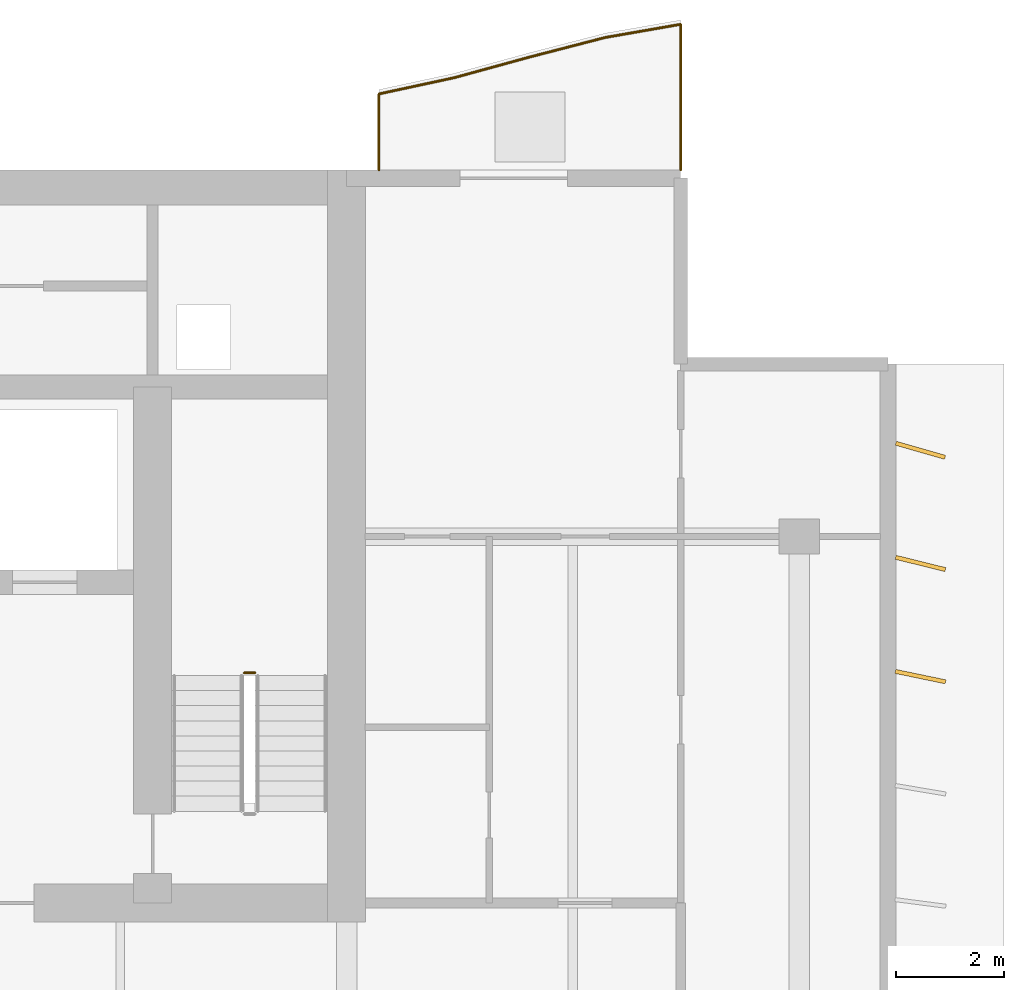
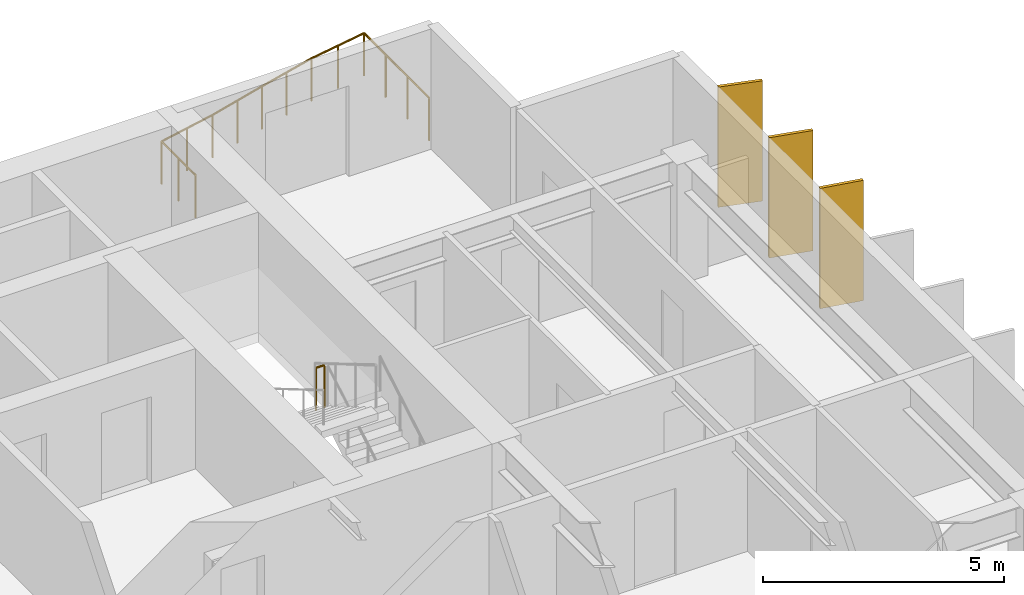
# One storey, part 17 of 17: 3 shading devices, 2 railings.
"""IFC4 building model written with IfcOpenShell, lengths in metres."""

import ifcopenshell
import ifcopenshell.guid

model = None  # the IFC model being written
_history = None  # IfcOwnerHistory: only IFC2X3 demands one
_inside = {}  # id of a spatial element -> (the spatial element, [elements in it])
_under = {}  # id of a project, library or spatial element -> (it, [spatial elements below it])
_declared = {}  # id of a project -> (the project, [libraries it declares])
_typed = {}  # id of a type object -> (the type object, [elements of that type])
_made_of = {}  # id of a material, layer set ... -> (it, [elements and type objects made of it])


def new_model(schema):
    """Start an empty IFC model of exactly this schema.

    Asked for "IFC4X3", IfcOpenShell would pick the latest addendum, in which some entities
    have other attributes; the version numbers below select the first issue.
    IFC2X3 requires an IfcOwnerHistory on every rooted entity: one is made here for all.
    """
    global model, _history
    if schema == "IFC4X3":
        model = ifcopenshell.file(schema_version=(4, 3, 0, 0))
    else:
        model = ifcopenshell.file(schema=schema)
    _inside.clear()
    _under.clear()
    _declared.clear()
    _typed.clear()
    _made_of.clear()
    _history = None
    if model.schema == "IFC2X3":
        org = make("IfcOrganization", Name="unknown")
        user = make(
            "IfcPersonAndOrganization",
            ThePerson=make("IfcPerson", FamilyName="unknown"),
            TheOrganization=org,
        )
        app = make(
            "IfcApplication",
            ApplicationDeveloper=org,
            Version="unknown",
            ApplicationFullName="unknown",
            ApplicationIdentifier="unknown",
        )
        _history = make(
            "IfcOwnerHistory",
            OwningUser=user,
            OwningApplication=app,
            ChangeAction="ADDED",
            CreationDate=0,
        )
    return model


def make(cls, **values):
    """One entity of the class cls with the attributes given. An attribute that is None is left unset."""
    return model.create_entity(
        cls, **{name: value for name, value in values.items() if value is not None}
    )


def rooted(cls, **values):
    """An entity with a GlobalId (a new one), such as an element, a storey or a relation."""
    return make(cls, GlobalId=ifcopenshell.guid.new(), OwnerHistory=_history, **values)


def si_unit(unit_type, name, prefix=None):
    """IfcSIUnit, for example si_unit("LENGTHUNIT", "METRE", prefix="MILLI")."""
    return make("IfcSIUnit", UnitType=unit_type, Prefix=prefix, Name=name)


def assignment(units):
    """IfcUnitAssignment: the units of a project."""
    return None if units is None else make("IfcUnitAssignment", Units=units)


def point(xyz):
    """IfcCartesianPoint."""
    return None if xyz is None else make("IfcCartesianPoint", Coordinates=xyz)


def direction(xyz):
    """IfcDirection."""
    return None if xyz is None else make("IfcDirection", DirectionRatios=xyz)


def frame(location, z_axis=None, x_axis=None):
    """IfcAxis2Placement3D, a coordinate frame: its origin and axes. An axis left out is left unset."""
    return make(
        "IfcAxis2Placement3D",
        Location=point(location),
        Axis=direction(z_axis),
        RefDirection=direction(x_axis),
    )


def frame_2d(location, x_axis=None):
    """IfcAxis2Placement2D, a coordinate frame in the plane: its origin and x axis."""
    return make(
        "IfcAxis2Placement2D", Location=point(location), RefDirection=direction(x_axis)
    )


def origin():
    """The frame at (0, 0, 0) with its axes left unset."""
    return frame((0.0, 0.0, 0.0))


def origin_2d():
    """The frame at (0, 0) in the plane with its x axis left unset."""
    return frame_2d((0.0, 0.0))


def place(relative_to, where):
    """IfcLocalPlacement: puts the frame where relative to a parent placement (None: the world)."""
    return make(
        "IfcLocalPlacement", PlacementRelTo=relative_to, RelativePlacement=where
    )


def context(
    kind, dimensions, precision=None, world=None, true_north=None, identifier=None
):
    """IfcGeometricRepresentationContext, for example the 3D "Model" context."""
    return make(
        "IfcGeometricRepresentationContext",
        ContextIdentifier=identifier,
        ContextType=kind,
        CoordinateSpaceDimension=dimensions,
        Precision=precision,
        WorldCoordinateSystem=world,
        TrueNorth=true_north,
    )


def subcontext(parent, identifier, kind, view, scale=None):
    """IfcGeometricRepresentationSubContext, for example "Body" below "Model"."""
    return make(
        "IfcGeometricRepresentationSubContext",
        ContextIdentifier=identifier,
        ContextType=kind,
        ParentContext=parent,
        TargetScale=scale,
        TargetView=view,
    )


def project(units=None, contexts=None):
    """IfcProject with its units and contexts."""
    return rooted(
        "IfcProject",
        Name="project",
        RepresentationContexts=contexts,
        UnitsInContext=assignment(units),
    )


def spatial(cls, under=None, at=None, **own):
    """A site, building, storey or space (cls), placed at a placement, below another one or the project."""
    s = rooted(cls, ObjectPlacement=at, **own)
    if under is not None:
        _under.setdefault(under.id(), (under, []))[1].append(s)
    return s


def profile(cls, at=None, kind="AREA", **sizes):
    """A parametric profile (cls). Its sizes go by their IFC names, for example OverallWidth=200.0."""
    return make(cls, ProfileType=kind, Position=at, **sizes)


def rectangle(**sizes):
    """IfcRectangleProfileDef."""
    return profile("IfcRectangleProfileDef", **sizes)


def circle(**sizes):
    """IfcCircleProfileDef."""
    return profile("IfcCircleProfileDef", **sizes)


def extrude(swept, where, along, depth):
    """IfcExtrudedAreaSolid: the profile swept, set in the frame where, extruded along a direction by depth."""
    return make(
        "IfcExtrudedAreaSolid",
        SweptArea=swept,
        Position=where,
        ExtrudedDirection=direction(along),
        Depth=depth,
    )


def shape(context_of_items, identifier, shape_type, items):
    """IfcShapeRepresentation: the items that make up one representation, for example the "Body"."""
    return make(
        "IfcShapeRepresentation",
        ContextOfItems=context_of_items,
        RepresentationIdentifier=identifier,
        RepresentationType=shape_type,
        Items=items,
    )


def material(Name=None, Category=None):
    """IfcMaterial."""
    return make("IfcMaterial", Name=Name, Category=Category)


def material_profile(
    of_material, cross_section, Name=None, Category=None, Priority=None
):
    """IfcMaterialProfile: a cross section and its material."""
    return make(
        "IfcMaterialProfile",
        Name=Name,
        Material=of_material,
        Profile=cross_section,
        Priority=Priority,
        Category=Category,
    )


def profile_set(profiles, Name=None, composite=None):
    """IfcMaterialProfileSet."""
    return make(
        "IfcMaterialProfileSet",
        Name=Name,
        MaterialProfiles=profiles,
        CompositeProfile=composite,
    )


def made_of(thing, what):
    """Note that an element or type object is made of a material, layer set ...; save() writes the relation."""
    if what is not None:
        _made_of.setdefault(what.id(), (what, []))[1].append(thing)
    return thing


def type_object(cls, material=None, **own):
    """A type object (cls), such as IfcWallType, which elements share."""
    return made_of(rooted(cls, **own), material)


def element(
    cls,
    number,
    at=None,
    inside=None,
    cuts=None,
    type_object=None,
    material=None,
    context=None,
    identifier="Body",
    shape_type=None,
    held_by="IfcProductDefinitionShape",
    body=None,
    shapes=None,
    **own,
):
    """One element of the class cls, such as IfcWall. Its Tag is "e" and its number.

    at: its placement. inside: the storey or other place that contains it. cuts: it is an
    opening in that element (IfcRelVoidsElement). A single representation is given by context,
    identifier, shape_type and body (its items); several are given by shapes. held_by: the class
    of the entity that holds the representations. save() writes the other relations.
    """
    e = rooted(cls, Tag="e%d" % number, ObjectPlacement=at, **own)
    if body is not None:
        shapes = [shape(context, identifier, shape_type, body)]
    if shapes is not None:
        e.Representation = make(held_by, Representations=shapes)
    if inside is not None:
        _inside.setdefault(inside.id(), (inside, []))[1].append(e)
    if cuts is not None:
        rooted(
            "IfcRelVoidsElement", RelatingBuildingElement=cuts, RelatedOpeningElement=e
        )
    if type_object is not None:
        _typed.setdefault(type_object.id(), (type_object, []))[1].append(e)
    return made_of(e, material)


def aggregate(whole, parts):
    """IfcRelAggregates: a whole, such as a stair, and the parts it consists of."""
    return rooted("IfcRelAggregates", RelatingObject=whole, RelatedObjects=parts)


def save(model, path):
    """Write the relations noted so far, then the file.

    IfcRelAggregates (storeys below a building ...), IfcRelContainedInSpatialStructure (elements
    in a storey), IfcRelDefinesByType, IfcRelAssociatesMaterial and IfcRelDeclares: one each for
    every whole, place, type object, material and project.
    """
    for whole, parts in _under.values():
        aggregate(whole, parts)
    for where, things in _inside.values():
        rooted(
            "IfcRelContainedInSpatialStructure",
            RelatedElements=things,
            RelatingStructure=where,
        )
    for kind, things in _typed.values():
        rooted("IfcRelDefinesByType", RelatedObjects=things, RelatingType=kind)
    for what, things in _made_of.values():
        rooted("IfcRelAssociatesMaterial", RelatedObjects=things, RelatingMaterial=what)
    for by, libraries in _declared.values():
        rooted("IfcRelDeclares", RelatingContext=by, RelatedDefinitions=libraries)
    model.write(path)


model = new_model("IFC4")

# Units and contexts
model_context = context("Model", 3, precision=1e-05, world=origin(), true_north=direction((0.0, 1.0)))
body_context = subcontext(model_context, "Body", "Model", "MODEL_VIEW")
ifc_project = project(units=[si_unit("LENGTHUNIT", "METRE"), si_unit("AREAUNIT", "SQUARE_METRE"), si_unit("VOLUMEUNIT", "CUBIC_METRE"), si_unit("PLANEANGLEUNIT", "RADIAN"), si_unit("MASSUNIT", "GRAM", prefix="KILO")], contexts=[model_context])

# Site, building, storey
site_placement = place(None, origin())
site = spatial("IfcSite", under=ifc_project, at=site_placement, CompositionType="ELEMENT")
building_placement = place(site_placement, origin())
building = spatial("IfcBuilding", under=site, at=building_placement, Name="Caelmar Bay Residences", CompositionType="ELEMENT")
storey_placement = place(building_placement, frame((0.0, 0.0, 226.5)))
storey = spatial("IfcBuildingStorey", under=building, at=storey_placement, Name="L63", CompositionType="ELEMENT", Elevation=226.5)

# Railings
ifc_material_1 = material(Name="Anodised bronze handrail with laminated hurricane glass infill", Category="glass")
railing_type_1 = type_object("IfcRailingType", Name="RL-BAL-1100", PredefinedType="BALUSTRADE", material=ifc_material_1)
railing_1_placement = place(storey_placement, frame((65.699951171875, 50.60009765625, 0.0)))
element("IfcRailing", 1, at=railing_1_placement, inside=storey, type_object=railing_type_1, Name="L63 north_east Balcony Balustrade", PredefinedType="BALUSTRADE", context=body_context, shape_type="SweptSolid", body=[
    extrude(circle(Radius=0.02392578125, at=origin_2d()), frame((0.0, 0.0, 1.076171875), z_axis=(0.0, 1.0, 0.0), x_axis=(-1.0, 0.0, 0.0)), (0.0, 0.0, 1.0), 2.705078125),
    extrude(circle(Radius=0.02392578125, at=origin_2d()), frame((0.0, 2.705078125, 1.076171875), z_axis=(-0.985101853006, -0.171971913997, 0.0), x_axis=(0.171971913997, -0.985101853006, 0.0)), (0.0, 0.0, 1.0), 1.421142578125),
    extrude(circle(Radius=0.02392578125, at=origin_2d()), frame((-1.39990234375, 2.460693359375, 1.076171875), z_axis=(-0.968113743572, -0.250511036698, 0.0), x_axis=(0.250511036698, -0.968113743572, 0.0)), (0.0, 0.0, 1.0), 1.4462890625),
    extrude(circle(Radius=0.02392578125, at=origin_2d()), frame((-2.800048828125, 2.098388671875, 1.076171875), z_axis=(-0.964456525256, -0.264241576766, 0.0), x_axis=(0.264241576766, -0.964456525256, 0.0)), (0.0, 0.0, 1.0), 1.451416015625),
    extrude(circle(Radius=0.02392578125, at=origin_2d()), frame((-4.199951171875, 1.71484375, 1.076171875), z_axis=(-0.97754721646, -0.210716491026, 0.0), x_axis=(0.210716491026, -0.97754721646, 0.0)), (0.0, 0.0, 1.0), 1.43212890625),
    extrude(circle(Radius=0.02392578125, at=origin_2d()), frame((-5.599853515625, 1.4130859375, 1.076171875), z_axis=(0.0, -1.0, 0.0), x_axis=(1.0, 0.0, 0.0)), (0.0, 0.0, 1.0), 1.4130859375),
    extrude(circle(Radius=0.02099609375, at=origin_2d()), origin(), (0.0, 0.0, 1.0), 1.052001953125),
    extrude(circle(Radius=0.02099609375, at=origin_2d()), frame((0.0, 0.901611328125, 0.0)), (0.0, 0.0, 1.0), 1.052001953125),
    extrude(circle(Radius=0.02099609375, at=origin_2d()), frame((0.0, 1.803466796875, 0.0)), (0.0, 0.0, 1.0), 1.052001953125),
    extrude(circle(Radius=0.02099609375, at=origin_2d()), frame((0.0, 2.705078125, 0.0)), (0.0, 0.0, 1.0), 1.052001953125),
    extrude(circle(Radius=0.02099609375, at=origin_2d()), frame((-0.699951171875, 2.5830078125, 0.0)), (0.0, 0.0, 1.0), 1.052001953125),
    extrude(circle(Radius=0.02099609375, at=origin_2d()), frame((-1.39990234375, 2.460693359375, 0.0)), (0.0, 0.0, 1.0), 1.052001953125),
    extrude(circle(Radius=0.02099609375, at=origin_2d()), frame((-2.10009765625, 2.279541015625, 0.0)), (0.0, 0.0, 1.0), 1.052001953125),
    extrude(circle(Radius=0.02099609375, at=origin_2d()), frame((-2.800048828125, 2.098388671875, 0.0)), (0.0, 0.0, 1.0), 1.052001953125),
    extrude(circle(Radius=0.02099609375, at=origin_2d()), frame((-3.5, 1.90673828125, 0.0)), (0.0, 0.0, 1.0), 1.052001953125),
    extrude(circle(Radius=0.02099609375, at=origin_2d()), frame((-4.199951171875, 1.71484375, 0.0)), (0.0, 0.0, 1.0), 1.052001953125),
    extrude(circle(Radius=0.02099609375, at=origin_2d()), frame((-4.89990234375, 1.56396484375, 0.0)), (0.0, 0.0, 1.0), 1.052001953125),
    extrude(circle(Radius=0.02099609375, at=origin_2d()), frame((-5.599853515625, 1.4130859375, 0.0)), (0.0, 0.0, 1.0), 1.052001953125),
    extrude(circle(Radius=0.02099609375, at=origin_2d()), frame((-5.599853515625, 0.70654296875, 0.0)), (0.0, 0.0, 1.0), 1.052001953125),
    extrude(circle(Radius=0.02099609375, at=origin_2d()), frame((-5.599853515625, 0.0, 0.0)), (0.0, 0.0, 1.0), 1.052001953125),
])
ifc_material_2 = material(Name="Painted galvanized steel stair guard 1100 mm", Category="steel")
railing_type_2 = type_object("IfcRailingType", Name="RL-GRD-1100", PredefinedType="GUARDRAIL", material=ifc_material_2)
railing_2_placement = place(storey_placement, frame((57.800048828125, 41.27001953125, 1.64990234375)))
element("IfcRailing", 2, at=railing_2_placement, inside=storey, type_object=railing_type_2, Name="L63 ST2 stair guard 2", PredefinedType="GUARDRAIL", context=body_context, shape_type="SweptSolid", body=[
    extrude(circle(Radius=0.02392578125, at=origin_2d()), frame((0.0, 0.0, 1.076171875), z_axis=(-1.0, 0.0, 0.0), x_axis=(0.0, -1.0, 0.0)), (0.0, 0.0, 1.0), 0.199951171875),
    extrude(circle(Radius=0.02099609375, at=origin_2d()), origin(), (0.0, 0.0, 1.0), 1.052001953125),
    extrude(circle(Radius=0.02099609375, at=origin_2d()), frame((-0.199951171875, 0.0, 0.0)), (0.0, 0.0, 1.0), 1.052001953125),
])

# Shading devices
ifc_material_3 = material(Name="Anodised architectural bronze aluminium 6063-T6", Category="aluminium")
ifc_material_profile = material_profile(ifc_material_3, rectangle(XDim=0.074951171875, YDim=0.949951171875, at=origin_2d()), Name="BRONZE-FIN-75X950")
ifc_profile_set = profile_set([ifc_material_profile], Name="Anodised architectural bronze aluminium 6063-T6")
shading_device_type = type_object("IfcShadingDeviceType", Name="SHD-FIN-950", PredefinedType="USERDEFINED", material=ifc_profile_set)
for number, where, z_axis, x_axis, name in (
    (3, (70.14990234375, 41.199951171875, 0.0), (0.0, 0.0, 1.0), (0.2032999874, 0.979116497217, 0.0), "L63 East Bronze Solar Fin 14"),
    (4, (70.14990234375, 43.300048828125, 0.0), (0.0, 0.0, 1.0), (0.239719743609, 0.970842131618, 0.0), "L63 East Bronze Solar Fin 15"),
    (5, (70.14990234375, 45.39990234375, 0.0), (0.0, 0.0, 1.0), (0.275637355817, 0.961261695938, 0.0), "L63 East Bronze Solar Fin 16"),
):
    element("IfcShadingDevice", number, at=place(storey_placement, frame(where, z_axis=z_axis, x_axis=x_axis)), inside=storey, type_object=shading_device_type, Name=name, ObjectType="FIN", PredefinedType="USERDEFINED", context=body_context, shape_type="SweptSolid", body=[
        extrude(rectangle(XDim=0.074951171875, YDim=0.949951171875, at=origin_2d()), origin(), (0.0, 0.0, 1.0), 3.050048828125),
    ])

save(model, "model.ifc")
